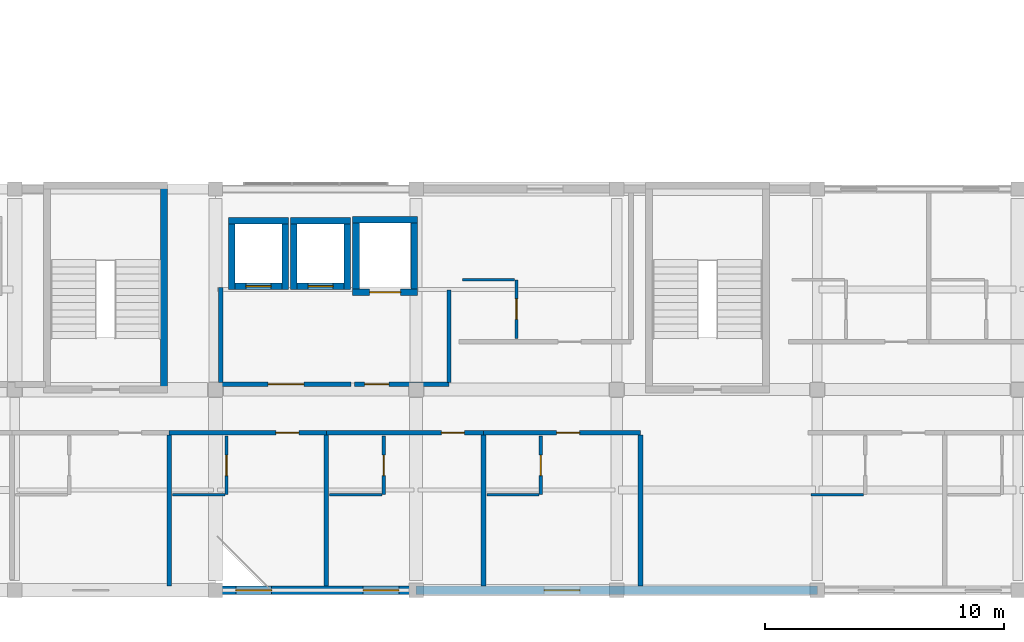
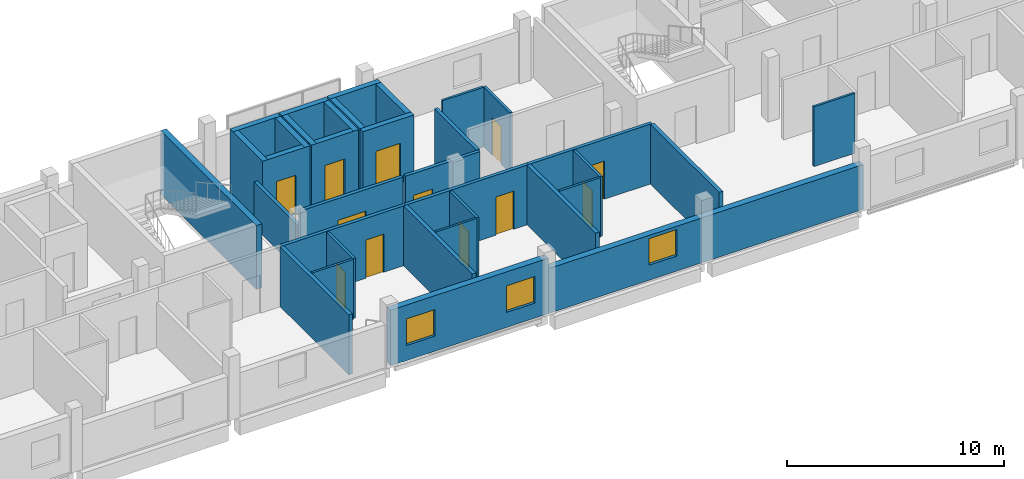
# One storey, part 17 of 25: 35 walls, 12 doors, 3 windows, 15 openings.
"""IFC4 building model written with IfcOpenShell, lengths in metres."""

import ifcopenshell
import ifcopenshell.guid

model = None  # the IFC model being written
_history = None  # IfcOwnerHistory: only IFC2X3 demands one
_inside = {}  # id of a spatial element -> (the spatial element, [elements in it])
_under = {}  # id of a project, library or spatial element -> (it, [spatial elements below it])
_declared = {}  # id of a project -> (the project, [libraries it declares])
_typed = {}  # id of a type object -> (the type object, [elements of that type])
_made_of = {}  # id of a material, layer set ... -> (it, [elements and type objects made of it])


def new_model(schema):
    """Start an empty IFC model of exactly this schema.

    Asked for "IFC4X3", IfcOpenShell would pick the latest addendum, in which some entities
    have other attributes; the version numbers below select the first issue.
    IFC2X3 requires an IfcOwnerHistory on every rooted entity: one is made here for all.
    """
    global model, _history
    if schema == "IFC4X3":
        model = ifcopenshell.file(schema_version=(4, 3, 0, 0))
    else:
        model = ifcopenshell.file(schema=schema)
    _inside.clear()
    _under.clear()
    _declared.clear()
    _typed.clear()
    _made_of.clear()
    _history = None
    if model.schema == "IFC2X3":
        org = make("IfcOrganization", Name="unknown")
        user = make(
            "IfcPersonAndOrganization",
            ThePerson=make("IfcPerson", FamilyName="unknown"),
            TheOrganization=org,
        )
        app = make(
            "IfcApplication",
            ApplicationDeveloper=org,
            Version="unknown",
            ApplicationFullName="unknown",
            ApplicationIdentifier="unknown",
        )
        _history = make(
            "IfcOwnerHistory",
            OwningUser=user,
            OwningApplication=app,
            ChangeAction="ADDED",
            CreationDate=0,
        )
    return model


def make(cls, **values):
    """One entity of the class cls with the attributes given. An attribute that is None is left unset."""
    return model.create_entity(
        cls, **{name: value for name, value in values.items() if value is not None}
    )


def rooted(cls, **values):
    """An entity with a GlobalId (a new one), such as an element, a storey or a relation."""
    return make(cls, GlobalId=ifcopenshell.guid.new(), OwnerHistory=_history, **values)


def si_unit(unit_type, name, prefix=None):
    """IfcSIUnit, for example si_unit("LENGTHUNIT", "METRE", prefix="MILLI")."""
    return make("IfcSIUnit", UnitType=unit_type, Prefix=prefix, Name=name)


def derived_unit(unit_type, elements):
    """IfcDerivedUnit: a product of units, each with its exponent."""
    return make(
        "IfcDerivedUnit",
        Elements=[
            make("IfcDerivedUnitElement", Unit=unit, Exponent=power)
            for unit, power in elements
        ],
        UnitType=unit_type,
    )


def assignment(units):
    """IfcUnitAssignment: the units of a project."""
    return None if units is None else make("IfcUnitAssignment", Units=units)


def point(xyz):
    """IfcCartesianPoint."""
    return None if xyz is None else make("IfcCartesianPoint", Coordinates=xyz)


def direction(xyz):
    """IfcDirection."""
    return None if xyz is None else make("IfcDirection", DirectionRatios=xyz)


def frame(location, z_axis=None, x_axis=None):
    """IfcAxis2Placement3D, a coordinate frame: its origin and axes. An axis left out is left unset."""
    return make(
        "IfcAxis2Placement3D",
        Location=point(location),
        Axis=direction(z_axis),
        RefDirection=direction(x_axis),
    )


def frame_2d(location, x_axis=None):
    """IfcAxis2Placement2D, a coordinate frame in the plane: its origin and x axis."""
    return make(
        "IfcAxis2Placement2D", Location=point(location), RefDirection=direction(x_axis)
    )


def origin():
    """The frame at (0, 0, 0) with its axes left unset."""
    return frame((0.0, 0.0, 0.0))


def place(relative_to, where):
    """IfcLocalPlacement: puts the frame where relative to a parent placement (None: the world)."""
    return make(
        "IfcLocalPlacement", PlacementRelTo=relative_to, RelativePlacement=where
    )


def context(
    kind, dimensions, precision=None, world=None, true_north=None, identifier=None
):
    """IfcGeometricRepresentationContext, for example the 3D "Model" context."""
    return make(
        "IfcGeometricRepresentationContext",
        ContextIdentifier=identifier,
        ContextType=kind,
        CoordinateSpaceDimension=dimensions,
        Precision=precision,
        WorldCoordinateSystem=world,
        TrueNorth=true_north,
    )


def subcontext(parent, identifier, kind, view, scale=None):
    """IfcGeometricRepresentationSubContext, for example "Body" below "Model"."""
    return make(
        "IfcGeometricRepresentationSubContext",
        ContextIdentifier=identifier,
        ContextType=kind,
        ParentContext=parent,
        TargetScale=scale,
        TargetView=view,
    )


def project(units=None, contexts=None):
    """IfcProject with its units and contexts."""
    return rooted(
        "IfcProject",
        Name="project",
        RepresentationContexts=contexts,
        UnitsInContext=assignment(units),
    )


def spatial(cls, under=None, at=None, **own):
    """A site, building, storey or space (cls), placed at a placement, below another one or the project."""
    s = rooted(cls, ObjectPlacement=at, **own)
    if under is not None:
        _under.setdefault(under.id(), (under, []))[1].append(s)
    return s


def profile(cls, at=None, kind="AREA", **sizes):
    """A parametric profile (cls). Its sizes go by their IFC names, for example OverallWidth=200.0."""
    return make(cls, ProfileType=kind, Position=at, **sizes)


def rectangle(**sizes):
    """IfcRectangleProfileDef."""
    return profile("IfcRectangleProfileDef", **sizes)


def extrude(swept, where, along, depth):
    """IfcExtrudedAreaSolid: the profile swept, set in the frame where, extruded along a direction by depth."""
    return make(
        "IfcExtrudedAreaSolid",
        SweptArea=swept,
        Position=where,
        ExtrudedDirection=direction(along),
        Depth=depth,
    )


def shape(context_of_items, identifier, shape_type, items):
    """IfcShapeRepresentation: the items that make up one representation, for example the "Body"."""
    return make(
        "IfcShapeRepresentation",
        ContextOfItems=context_of_items,
        RepresentationIdentifier=identifier,
        RepresentationType=shape_type,
        Items=items,
    )


def material(Name=None, Category=None):
    """IfcMaterial."""
    return make("IfcMaterial", Name=Name, Category=Category)


def layer(
    of_material, thickness, ventilated=None, Name=None, Category=None, Priority=None
):
    """IfcMaterialLayer: one layer of a wall or slab, of a material (None: an air gap)."""
    return make(
        "IfcMaterialLayer",
        Material=of_material,
        LayerThickness=thickness,
        IsVentilated=ventilated,
        Name=Name,
        Category=Category,
        Priority=Priority,
    )


def layer_set(layers, Name=None):
    """IfcMaterialLayerSet."""
    return make("IfcMaterialLayerSet", MaterialLayers=layers, LayerSetName=Name)


def made_of(thing, what):
    """Note that an element or type object is made of a material, layer set ...; save() writes the relation."""
    if what is not None:
        _made_of.setdefault(what.id(), (what, []))[1].append(thing)
    return thing


def type_object(cls, material=None, **own):
    """A type object (cls), such as IfcWallType, which elements share."""
    return made_of(rooted(cls, **own), material)


def element(
    cls,
    number,
    at=None,
    inside=None,
    cuts=None,
    type_object=None,
    material=None,
    context=None,
    identifier="Body",
    shape_type=None,
    held_by="IfcProductDefinitionShape",
    body=None,
    shapes=None,
    **own,
):
    """One element of the class cls, such as IfcWall. Its Tag is "e" and its number.

    at: its placement. inside: the storey or other place that contains it. cuts: it is an
    opening in that element (IfcRelVoidsElement). A single representation is given by context,
    identifier, shape_type and body (its items); several are given by shapes. held_by: the class
    of the entity that holds the representations. save() writes the other relations.
    """
    e = rooted(cls, Tag="e%d" % number, ObjectPlacement=at, **own)
    if body is not None:
        shapes = [shape(context, identifier, shape_type, body)]
    if shapes is not None:
        e.Representation = make(held_by, Representations=shapes)
    if inside is not None:
        _inside.setdefault(inside.id(), (inside, []))[1].append(e)
    if cuts is not None:
        rooted(
            "IfcRelVoidsElement", RelatingBuildingElement=cuts, RelatedOpeningElement=e
        )
    if type_object is not None:
        _typed.setdefault(type_object.id(), (type_object, []))[1].append(e)
    return made_of(e, material)


def fill(opening, filler):
    """IfcRelFillsElement: the door or window that sits in an opening."""
    return rooted(
        "IfcRelFillsElement",
        RelatingOpeningElement=opening,
        RelatedBuildingElement=filler,
    )


def aggregate(whole, parts):
    """IfcRelAggregates: a whole, such as a stair, and the parts it consists of."""
    return rooted("IfcRelAggregates", RelatingObject=whole, RelatedObjects=parts)


def save(model, path):
    """Write the relations noted so far, then the file.

    IfcRelAggregates (storeys below a building ...), IfcRelContainedInSpatialStructure (elements
    in a storey), IfcRelDefinesByType, IfcRelAssociatesMaterial and IfcRelDeclares: one each for
    every whole, place, type object, material and project.
    """
    for whole, parts in _under.values():
        aggregate(whole, parts)
    for where, things in _inside.values():
        rooted(
            "IfcRelContainedInSpatialStructure",
            RelatedElements=things,
            RelatingStructure=where,
        )
    for kind, things in _typed.values():
        rooted("IfcRelDefinesByType", RelatedObjects=things, RelatingType=kind)
    for what, things in _made_of.values():
        rooted("IfcRelAssociatesMaterial", RelatedObjects=things, RelatingMaterial=what)
    for by, libraries in _declared.values():
        rooted("IfcRelDeclares", RelatingContext=by, RelatedDefinitions=libraries)
    model.write(path)


model = new_model("IFC4")

# Units and contexts
model_context = context("Model", 3, precision=1e-05, world=origin(), true_north=direction((0.0, 1.0)))
body_context = subcontext(model_context, "Body", "Model", "MODEL_VIEW")
ifc_project = project(units=[si_unit("LENGTHUNIT", "METRE"), si_unit("AREAUNIT", "SQUARE_METRE"), si_unit("VOLUMEUNIT", "CUBIC_METRE"), si_unit("PLANEANGLEUNIT", "RADIAN"), si_unit("MASSUNIT", "GRAM", prefix="KILO"), derived_unit("THERMALTRANSMITTANCEUNIT", [(si_unit("POWERUNIT", "WATT"), 1), (si_unit("LENGTHUNIT", "METRE"), -2), (si_unit("THERMODYNAMICTEMPERATUREUNIT", "KELVIN"), -1)])], contexts=[model_context])

# Site, building, storey
site_placement = place(None, origin())
site = spatial("IfcSite", under=ifc_project, at=site_placement, CompositionType="ELEMENT")
building_placement = place(site_placement, origin())
building = spatial("IfcBuilding", under=site, at=building_placement, Name="Barrovel Congress Hotel", CompositionType="ELEMENT")
storey_placement = place(building_placement, frame((0.0, 0.0, 25.5)))
storey = spatial("IfcBuildingStorey", under=building, at=storey_placement, Name="L06", CompositionType="ELEMENT", Elevation=25.5)

# Wall, openings, windows
ifc_material_1 = material(Name="Fired Clay Brick Masonry", Category="masonry")
ifc_layer_1 = layer(ifc_material_1, 0.340087890625)
ifc_layer_set_1 = layer_set([ifc_layer_1], Name="Fired Clay Brick Masonry")
wall_type_1 = type_object("IfcWallType", Name="EW-BRK340", PredefinedType="STANDARD", material=ifc_layer_set_1)
wall_1_placement = place(storey_placement, frame((84.0, 4.199951171875, 0.0), z_axis=(0.0, 0.0, 1.0), x_axis=(1.0, 0.0, 0.0)))
wall_1 = element("IfcWall", 1, at=wall_1_placement, inside=storey, type_object=wall_type_1, Name="EW:L06:HS-S:P07", PredefinedType="STANDARD", context=body_context, shape_type="SweptSolid", body=[
    extrude(rectangle(XDim=8.39990234375, YDim=0.340087890625, at=frame_2d((4.199951171875, 0.0))), origin(), (0.0, 0.0, 1.0), 3.133056640625),
])
opening_1_placement = place(wall_1_placement, frame((0.85009765625, 0.0, 0.85009765625)))
opening_1 = element("IfcOpeningElement", 2, at=opening_1_placement, cuts=wall_1, Name="Opening WN-07", PredefinedType="OPENING", context=body_context, shape_type="SweptSolid", body=[
    extrude(rectangle(XDim=1.5, YDim=1.5, at=frame_2d((0.75, 0.75))), frame((0.0, 0.18017578125, 0.0), z_axis=(0.0, -1.0, 0.0), x_axis=(1.0, 0.0, 0.0)), (0.0, 0.0, 1.0), 0.360107421875),
])
opening_2_placement = place(wall_1_placement, frame((6.179931640625, 0.0, 0.85009765625)))
opening_2 = element("IfcOpeningElement", 3, at=opening_2_placement, cuts=wall_1, Name="Opening WN-07", PredefinedType="OPENING", context=body_context, shape_type="SweptSolid", body=[
    extrude(rectangle(XDim=1.5, YDim=1.5, at=frame_2d((0.75, 0.75))), frame((0.0, 0.18017578125, 0.0), z_axis=(0.0, -1.0, 0.0), x_axis=(1.0, 0.0, 0.0)), (0.0, 0.0, 1.0), 0.360107421875),
])
ifc_material_2 = material(Name="Double Low-E Insulated Glazing", Category="glass")
window_type = type_object("IfcWindowType", Name="WIN-WN-07", PartitioningType="SINGLE_PANEL", PredefinedType="WINDOW", material=ifc_material_2)
window_1_placement = place(opening_1_placement, origin())
window_1 = element("IfcWindow", 4, at=window_1_placement, inside=storey, type_object=window_type, Name="WIN:L06:U09", OverallHeight=1.5, OverallWidth=1.5, PartitioningType="SINGLE_PANEL", PredefinedType="WINDOW", context=body_context, shape_type="SweptSolid", body=[
    extrude(rectangle(XDim=1.5, YDim=1.5, at=frame_2d((0.75, 0.75))), frame((0.0, 0.030029296875, 0.0), z_axis=(0.0, -1.0, 0.0), x_axis=(1.0, 0.0, 0.0)), (0.0, 0.0, 1.0), 0.06005859375),
])
fill(opening_1, window_1)
window_2_placement = place(opening_2_placement, origin())
window_2 = element("IfcWindow", 5, at=window_2_placement, inside=storey, type_object=window_type, Name="WIN:L06:U10", OverallHeight=1.5, OverallWidth=1.5, PartitioningType="SINGLE_PANEL", PredefinedType="WINDOW", context=body_context, shape_type="SweptSolid", body=[
    extrude(rectangle(XDim=1.5, YDim=1.5, at=frame_2d((0.75, 0.75))), frame((0.0, 0.030029296875, 0.0), z_axis=(0.0, -1.0, 0.0), x_axis=(1.0, 0.0, 0.0)), (0.0, 0.0, 1.0), 0.06005859375),
])
fill(opening_2, window_2)

# Wall, opening, window
wall_2_placement = place(storey_placement, frame((92.39990234375, 4.199951171875, 0.0), z_axis=(0.0, 0.0, 1.0), x_axis=(1.0, 0.0, 0.0)))
wall_2 = element("IfcWall", 6, at=wall_2_placement, inside=storey, type_object=wall_type_1, Name="EW:L06:HS-S:P08", PredefinedType="STANDARD", context=body_context, shape_type="SweptSolid", body=[
    extrude(rectangle(XDim=16.800048828125, YDim=0.340087890625, at=frame_2d((8.39990234375, 0.0))), origin(), (0.0, 0.0, 1.0), 2.530029296875),
])
opening_3_placement = place(wall_2_placement, frame((5.360107421875, 0.0, 0.85009765625)))
opening_3 = element("IfcOpeningElement", 7, at=opening_3_placement, cuts=wall_2, Name="Opening WN-07", PredefinedType="OPENING", context=body_context, shape_type="SweptSolid", body=[
    extrude(rectangle(XDim=1.5, YDim=1.5, at=frame_2d((0.75, 0.75))), frame((0.0, 0.18017578125, 0.0), z_axis=(0.0, -1.0, 0.0), x_axis=(1.0, 0.0, 0.0)), (0.0, 0.0, 1.0), 0.360107421875),
])
window_3_placement = place(opening_3_placement, origin())
window_3 = element("IfcWindow", 8, at=window_3_placement, inside=storey, type_object=window_type, Name="WIN:L06:U11", OverallHeight=1.5, OverallWidth=1.5, PartitioningType="SINGLE_PANEL", PredefinedType="WINDOW", context=body_context, shape_type="SweptSolid", body=[
    extrude(rectangle(XDim=1.5, YDim=1.5, at=frame_2d((0.75, 0.75))), frame((0.0, 0.030029296875, 0.0), z_axis=(0.0, -1.0, 0.0), x_axis=(1.0, 0.0, 0.0)), (0.0, 0.0, 1.0), 0.06005859375),
])
fill(opening_3, window_3)

# Wall, opening, door
ifc_material_3 = material(Name="Gypsum Acoustic Stud", Category="gypsum")
ifc_layer_2 = layer(ifc_material_3, 0.179931640625)
ifc_layer_set_2 = layer_set([ifc_layer_2], Name="Gypsum Acoustic Stud")
wall_type_2 = type_object("IfcWallType", Name="PW-ACU-180", PredefinedType="PARTITIONING", material=ifc_layer_set_2)
wall_3_placement = place(storey_placement, frame((82.06005859375, 10.800048828125, 0.0), z_axis=(0.0, 0.0, 1.0), x_axis=(1.0, 0.0, 0.0)))
wall_3 = element("IfcWall", 9, at=wall_3_placement, inside=storey, type_object=wall_type_2, Name="PW:L06:U09:COR", PredefinedType="PARTITIONING", context=body_context, shape_type="SweptSolid", body=[
    extrude(rectangle(XDim=6.579833984375, YDim=0.179931640625, at=frame_2d((3.2900390625, 0.0))), origin(), (0.0, 0.0, 1.0), 3.375),
])
opening_4_placement = place(wall_3_placement, frame((4.466552734375, 0.0, 0.0)))
opening_4 = element("IfcOpeningElement", 10, at=opening_4_placement, cuts=wall_3, Name="Opening ID-HTL", PredefinedType="OPENING", context=body_context, shape_type="SweptSolid", body=[
    extrude(rectangle(XDim=0.9599609375, YDim=2.14990234375, at=frame_2d((0.47998046875, 1.074951171875))), frame((0.0, 0.10009765625, 0.0), z_axis=(0.0, -1.0, 0.0), x_axis=(1.0, 0.0, 0.0)), (0.0, 0.0, 1.0), 0.199951171875),
])
ifc_material_4 = material(Name="Solid Oak Acoustic Timber Door", Category="wood")
door_type_1 = type_object("IfcDoorType", Name="IDR-ID-HTL", OperationType="NOTDEFINED", PredefinedType="DOOR", material=ifc_material_4)
door_1_placement = place(opening_4_placement, origin())
door_1 = element("IfcDoor", 11, at=door_1_placement, inside=storey, type_object=door_type_1, Name="DR:L06:U09:ENT", OperationType="SINGLE_SWING_RIGHT", OverallHeight=2.14990234375, OverallWidth=0.9599609375, PredefinedType="DOOR", context=body_context, shape_type="SweptSolid", body=[
    extrude(rectangle(XDim=0.9599609375, YDim=2.14990234375, at=frame_2d((0.47998046875, 1.074951171875))), frame((0.0, 0.02490234375, 0.0), z_axis=(0.0, -1.0, 0.0), x_axis=(1.0, 0.0, 0.0)), (0.0, 0.0, 1.0), 0.050048828125),
])
fill(opening_4, door_1)

wall_4_placement = place(storey_placement, frame((88.639892578125, 10.800048828125, 0.0), z_axis=(0.0, 0.0, 1.0), x_axis=(1.0, 0.0, 0.0)))
wall_4 = element("IfcWall", 12, at=wall_4_placement, inside=storey, type_object=wall_type_2, Name="PW:L06:U10:COR", PredefinedType="PARTITIONING", context=body_context, shape_type="SweptSolid", body=[
    extrude(rectangle(XDim=6.580078125, YDim=0.179931640625, at=frame_2d((3.2900390625, 0.0))), origin(), (0.0, 0.0, 1.0), 3.375),
])
opening_5_placement = place(wall_4_placement, frame((4.816650390625, 0.0, 0.0)))
opening_5 = element("IfcOpeningElement", 13, at=opening_5_placement, cuts=wall_4, Name="Opening ID-HTL", PredefinedType="OPENING", context=body_context, shape_type="SweptSolid", body=[
    extrude(rectangle(XDim=0.9599609375, YDim=2.14990234375, at=frame_2d((0.47998046875, 1.074951171875))), frame((0.0, 0.10009765625, 0.0), z_axis=(0.0, -1.0, 0.0), x_axis=(1.0, 0.0, 0.0)), (0.0, 0.0, 1.0), 0.199951171875),
])
door_2_placement = place(opening_5_placement, origin())
door_2 = element("IfcDoor", 14, at=door_2_placement, inside=storey, type_object=door_type_1, Name="DR:L06:U10:ENT", OperationType="SINGLE_SWING_RIGHT", OverallHeight=2.14990234375, OverallWidth=0.9599609375, PredefinedType="DOOR", context=body_context, shape_type="SweptSolid", body=[
    extrude(rectangle(XDim=0.9599609375, YDim=2.14990234375, at=frame_2d((0.47998046875, 1.074951171875))), frame((0.0, 0.02490234375, 0.0), z_axis=(0.0, -1.0, 0.0), x_axis=(1.0, 0.0, 0.0)), (0.0, 0.0, 1.0), 0.050048828125),
])
fill(opening_5, door_2)

wall_5_placement = place(storey_placement, frame((95.219970703125, 10.800048828125, 0.0), z_axis=(0.0, 0.0, 1.0), x_axis=(1.0, 0.0, 0.0)))
wall_5 = element("IfcWall", 15, at=wall_5_placement, inside=storey, type_object=wall_type_2, Name="PW:L06:U11:COR", PredefinedType="PARTITIONING", context=body_context, shape_type="SweptSolid", body=[
    extrude(rectangle(XDim=6.580078125, YDim=0.179931640625, at=frame_2d((3.2900390625, 0.0))), origin(), (0.0, 0.0, 1.0), 3.375),
])
opening_6_placement = place(wall_5_placement, frame((3.066650390625, 0.0, 0.0)))
opening_6 = element("IfcOpeningElement", 16, at=opening_6_placement, cuts=wall_5, Name="Opening ID-HTL", PredefinedType="OPENING", context=body_context, shape_type="SweptSolid", body=[
    extrude(rectangle(XDim=0.9599609375, YDim=2.14990234375, at=frame_2d((0.47998046875, 1.074951171875))), frame((0.0, 0.10009765625, 0.0), z_axis=(0.0, -1.0, 0.0), x_axis=(1.0, 0.0, 0.0)), (0.0, 0.0, 1.0), 0.199951171875),
])
door_3_placement = place(opening_6_placement, origin())
door_3 = element("IfcDoor", 17, at=door_3_placement, inside=storey, type_object=door_type_1, Name="DR:L06:U11:ENT", OperationType="SINGLE_SWING_RIGHT", OverallHeight=2.14990234375, OverallWidth=0.9599609375, PredefinedType="DOOR", context=body_context, shape_type="SweptSolid", body=[
    extrude(rectangle(XDim=0.9599609375, YDim=2.14990234375, at=frame_2d((0.47998046875, 1.074951171875))), frame((0.0, 0.02490234375, 0.0), z_axis=(0.0, -1.0, 0.0), x_axis=(1.0, 0.0, 0.0)), (0.0, 0.0, 1.0), 0.050048828125),
])
fill(opening_6, door_3)

wall_6_placement = place(storey_placement, frame((84.219970703125, 12.820068359375, 0.0), z_axis=(0.0, 0.0, 1.0), x_axis=(1.0, 0.0, 0.0)))
wall_6 = element("IfcWall", 18, at=wall_6_placement, inside=storey, type_object=wall_type_2, Name="RW:SP:L06:LL-C2:S", PredefinedType="PARTITIONING", context=body_context, shape_type="SweptSolid", body=[
    extrude(rectangle(XDim=5.4599609375, YDim=0.179931640625, at=frame_2d((2.72998046875, 0.0))), origin(), (0.0, 0.0, 1.0), 3.375),
])
opening_7_placement = place(wall_6_placement, frame((1.97998046875, 0.0, 0.0)))
opening_7 = element("IfcOpeningElement", 19, at=opening_7_placement, cuts=wall_6, Name="Opening ID-FFL", PredefinedType="OPENING", context=body_context, shape_type="SweptSolid", body=[
    extrude(rectangle(XDim=1.5, YDim=2.14990234375, at=frame_2d((0.75, 1.074951171875))), frame((0.0, 0.10009765625, 0.0), z_axis=(0.0, -1.0, 0.0), x_axis=(1.0, 0.0, 0.0)), (0.0, 0.0, 1.0), 0.199951171875),
])
ifc_material_5 = material(Name="Painted Hollow-Metal Steel Door", Category="steel")
door_type_2 = type_object("IfcDoorType", Name="IDR-ID-FFL", OperationType="NOTDEFINED", PredefinedType="DOOR", material=ifc_material_5)
door_4_placement = place(opening_7_placement, origin())
door_4 = element("IfcDoor", 20, at=door_4_placement, inside=storey, type_object=door_type_2, Name="RD:SP:L06:LL-C2", OperationType="DOUBLE_DOOR_SINGLE_SWING", OverallHeight=2.14990234375, OverallWidth=1.5, PredefinedType="DOOR", context=body_context, shape_type="SweptSolid", body=[
    extrude(rectangle(XDim=1.5, YDim=2.14990234375, at=frame_2d((0.75, 1.074951171875))), frame((0.0, 0.02490234375, 0.0), z_axis=(0.0, -1.0, 0.0), x_axis=(1.0, 0.0, 0.0)), (0.0, 0.0, 1.0), 0.050048828125),
])
fill(opening_7, door_4)

# Wall
wall_7_placement = place(storey_placement, frame((84.219970703125, 12.909912109375, 0.0), z_axis=(0.0, 0.0, 1.0), x_axis=(0.0, 1.0, 0.0)))
element("IfcWall", 21, at=wall_7_placement, inside=storey, type_object=wall_type_2, Name="RW:SP:L06:LL-C2:W", PredefinedType="PARTITIONING", context=body_context, shape_type="SweptSolid", body=[
    extrude(rectangle(XDim=3.969970703125, YDim=0.179931640625, at=frame_2d((1.98486328125, 0.0))), origin(), (0.0, 0.0, 1.0), 2.530029296875),
])

# Wall, opening, door
wall_8_placement = place(storey_placement, frame((89.820068359375, 12.820068359375, 0.0), z_axis=(0.0, 0.0, 1.0), x_axis=(1.0, 0.0, 0.0)))
wall_8 = element("IfcWall", 22, at=wall_8_placement, inside=storey, type_object=wall_type_2, Name="RW:SP:L06:LL-SL2:S", PredefinedType="PARTITIONING", context=body_context, shape_type="SweptSolid", body=[
    extrude(rectangle(XDim=3.9599609375, YDim=0.179931640625, at=frame_2d((1.97998046875, 0.0))), origin(), (0.0, 0.0, 1.0), 3.375),
])
opening_8_placement = place(wall_8_placement, frame((0.419921875, 0.0, 0.0)))
opening_8 = element("IfcOpeningElement", 23, at=opening_8_placement, cuts=wall_8, Name="Opening ID-ACC", PredefinedType="OPENING", context=body_context, shape_type="SweptSolid", body=[
    extrude(rectangle(XDim=1.02001953125, YDim=2.14990234375, at=frame_2d((0.510009765625, 1.074951171875))), frame((0.0, 0.10009765625, 0.0), z_axis=(0.0, -1.0, 0.0), x_axis=(1.0, 0.0, 0.0)), (0.0, 0.0, 1.0), 0.199951171875),
])
door_type_3 = type_object("IfcDoorType", Name="IDR-ID-ACC", OperationType="NOTDEFINED", PredefinedType="DOOR", material=ifc_material_4)
door_5_placement = place(opening_8_placement, origin())
door_5 = element("IfcDoor", 24, at=door_5_placement, inside=storey, type_object=door_type_3, Name="RD:SP:L06:LL-SL2", OperationType="SINGLE_SWING_RIGHT", OverallHeight=2.14990234375, OverallWidth=1.02001953125, PredefinedType="DOOR", context=body_context, shape_type="SweptSolid", body=[
    extrude(rectangle(XDim=1.02001953125, YDim=2.14990234375, at=frame_2d((0.510009765625, 1.074951171875))), frame((0.0, 0.02490234375, 0.0), z_axis=(0.0, -1.0, 0.0), x_axis=(1.0, 0.0, 0.0)), (0.0, 0.0, 1.0), 0.050048828125),
])
fill(opening_8, door_5)

# Walls
wall_9_placement = place(storey_placement, frame((93.780029296875, 12.909912109375, 0.0), z_axis=(0.0, 0.0, 1.0), x_axis=(0.0, 1.0, 0.0)))
element("IfcWall", 25, at=wall_9_placement, inside=storey, type_object=wall_type_2, Name="RW:SP:L06:LL-SL2:E", PredefinedType="PARTITIONING", context=body_context, shape_type="SweptSolid", body=[
    extrude(rectangle(XDim=3.8701171875, YDim=0.179931640625, at=frame_2d((1.93505859375, 0.0))), origin(), (0.0, 0.0, 1.0), 3.375),
])
ifc_layer_3 = layer(ifc_material_3, 0.1201171875)
ifc_layer_set_3 = layer_set([ifc_layer_3], Name="Gypsum Acoustic Stud")
wall_type_3 = type_object("IfcWallType", Name="PW-INT-120", PredefinedType="PARTITIONING", material=ifc_layer_set_3)
for number, where, z_axis, x_axis, name in (
    (26, (82.199951171875, 8.199951171875, 0.0), (0.0, 0.0, 1.0), (1.0, 0.0, 0.0), "PW:L06:U09:B2"),
    (27, (88.780029296875, 8.199951171875, 0.0), (0.0, 0.0, 1.0), (1.0, 0.0, 0.0), "PW:L06:U10:B2"),
    (28, (95.360107421875, 8.199951171875, 0.0), (0.0, 0.0, 1.0), (1.0, 0.0, 0.0), "PW:L06:U11:B2"),
    (29, (108.93994140625, 8.199951171875, 0.0), (0.0, 0.0, 1.0), (1.0, 0.0, 0.0), "PW:L06:U12:B2"),
    (30, (94.340087890625, 17.199951171875, 0.0), (0.0, 0.0, 1.0), (1.0, 0.0, 0.0), "PW:L06:U21:B2"),
):
    element("IfcWall", number, at=place(storey_placement, frame(where, z_axis=z_axis, x_axis=x_axis)), inside=storey, type_object=wall_type_3, Name=name, PredefinedType="PARTITIONING", context=body_context, shape_type="SweptSolid", body=[
        extrude(rectangle(XDim=2.18994140625, YDim=0.1201171875, at=frame_2d((1.094970703125, 0.0))), origin(), (0.0, 0.0, 1.0), 3.375),
    ])
ifc_layer_4 = layer(ifc_material_1, 0.199951171875)
ifc_layer_set_4 = layer_set([ifc_layer_4], Name="Fired Clay Brick Masonry")
wall_type_4 = type_object("IfcWallType", Name="PW-MAS-200", PredefinedType="PARTITIONING", material=ifc_layer_set_4)
for number, where, z_axis, x_axis, name in (
    (31, (82.06005859375, 4.3701171875, 0.0), (0.0, 0.0, 1.0), (0.0, 1.0, 0.0), "PW:L06:U08:DEM"),
    (32, (88.639892578125, 4.3701171875, 0.0), (0.0, 0.0, 1.0), (0.0, 1.0, 0.0), "PW:L06:U09:DEM"),
    (33, (95.219970703125, 4.3701171875, 0.0), (0.0, 0.0, 1.0), (0.0, 1.0, 0.0), "PW:L06:U10:DEM"),
    (34, (101.800048828125, 4.3701171875, 0.0), (0.0, 0.0, 1.0), (0.0, 1.0, 0.0), "PW:L06:U11:DEM"),
):
    element("IfcWall", number, at=place(storey_placement, frame(where, z_axis=z_axis, x_axis=x_axis)), inside=storey, type_object=wall_type_4, Name=name, PredefinedType="PARTITIONING", context=body_context, shape_type="SweptSolid", body=[
        extrude(rectangle(XDim=6.33984375, YDim=0.199951171875, at=frame_2d((3.169921875, 0.0))), origin(), (0.0, 0.0, 1.0), 3.375),
    ])

# Wall, opening, door
ifc_material_6 = material(Name="Gypsum Moisture Board", Category="gypsum")
ifc_layer_5 = layer(ifc_material_6, 0.139892578125)
ifc_layer_set_5 = layer_set([ifc_layer_5], Name="Gypsum Moisture Board")
wall_type_5 = type_object("IfcWallType", Name="PW-WET-140", PredefinedType="PARTITIONING", material=ifc_layer_set_5)
wall_10_placement = place(storey_placement, frame((84.4599609375, 8.199951171875, 0.0), z_axis=(0.0, 0.0, 1.0), x_axis=(0.0, 1.0, 0.0)))
wall_10 = element("IfcWall", 35, at=wall_10_placement, inside=storey, type_object=wall_type_5, Name="PW:L06:U09:B1", PredefinedType="PARTITIONING", context=body_context, shape_type="SweptSolid", body=[
    extrude(rectangle(XDim=2.4599609375, YDim=0.139892578125, at=frame_2d((1.22998046875, 0.0))), origin(), (0.0, 0.0, 1.0), 3.375),
])
opening_9_placement = place(wall_10_placement, frame((0.800048828125, 0.0, 0.0)))
opening_9 = element("IfcOpeningElement", 36, at=opening_9_placement, cuts=wall_10, Name="Opening ID-ENS", PredefinedType="OPENING", context=body_context, shape_type="SweptSolid", body=[
    extrude(rectangle(XDim=0.860107421875, YDim=2.10009765625, at=frame_2d((0.43017578125, 1.050048828125))), frame((0.0, 0.080078125, 0.0), z_axis=(0.0, -1.0, 0.0), x_axis=(1.0, 0.0, 0.0)), (0.0, 0.0, 1.0), 0.159912109375),
])
ifc_material_7 = material(Name="Lacquered Timber Moisture Door", Category="wood")
door_type_4 = type_object("IfcDoorType", Name="IDR-ID-ENS", OperationType="NOTDEFINED", PredefinedType="DOOR", material=ifc_material_7)
door_6_placement = place(opening_9_placement, origin())
door_6 = element("IfcDoor", 37, at=door_6_placement, inside=storey, type_object=door_type_4, Name="DR:L06:U09:ENS", OperationType="SINGLE_SWING_LEFT", OverallHeight=2.10009765625, OverallWidth=0.860107421875, PredefinedType="DOOR", context=body_context, shape_type="SweptSolid", body=[
    extrude(rectangle(XDim=0.860107421875, YDim=2.10009765625, at=frame_2d((0.43017578125, 1.050048828125))), frame((0.0, 0.02490234375, 0.0), z_axis=(0.0, -1.0, 0.0), x_axis=(1.0, 0.0, 0.0)), (0.0, 0.0, 1.0), 0.050048828125),
])
fill(opening_9, door_6)

wall_11_placement = place(storey_placement, frame((91.0400390625, 8.199951171875, 0.0), z_axis=(0.0, 0.0, 1.0), x_axis=(0.0, 1.0, 0.0)))
wall_11 = element("IfcWall", 38, at=wall_11_placement, inside=storey, type_object=wall_type_5, Name="PW:L06:U10:B1", PredefinedType="PARTITIONING", context=body_context, shape_type="SweptSolid", body=[
    extrude(rectangle(XDim=2.4599609375, YDim=0.139892578125, at=frame_2d((1.22998046875, 0.0))), origin(), (0.0, 0.0, 1.0), 3.375),
])
opening_10_placement = place(wall_11_placement, frame((0.800048828125, 0.0, 0.0)))
opening_10 = element("IfcOpeningElement", 39, at=opening_10_placement, cuts=wall_11, Name="Opening ID-ENS", PredefinedType="OPENING", context=body_context, shape_type="SweptSolid", body=[
    extrude(rectangle(XDim=0.860107421875, YDim=2.10009765625, at=frame_2d((0.43017578125, 1.050048828125))), frame((0.0, 0.080078125, 0.0), z_axis=(0.0, -1.0, 0.0), x_axis=(1.0, 0.0, 0.0)), (0.0, 0.0, 1.0), 0.159912109375),
])
door_7_placement = place(opening_10_placement, origin())
door_7 = element("IfcDoor", 40, at=door_7_placement, inside=storey, type_object=door_type_4, Name="DR:L06:U10:ENS", OperationType="SINGLE_SWING_LEFT", OverallHeight=2.10009765625, OverallWidth=0.860107421875, PredefinedType="DOOR", context=body_context, shape_type="SweptSolid", body=[
    extrude(rectangle(XDim=0.860107421875, YDim=2.10009765625, at=frame_2d((0.43017578125, 1.050048828125))), frame((0.0, 0.02490234375, 0.0), z_axis=(0.0, -1.0, 0.0), x_axis=(1.0, 0.0, 0.0)), (0.0, 0.0, 1.0), 0.050048828125),
])
fill(opening_10, door_7)

wall_12_placement = place(storey_placement, frame((97.6201171875, 8.199951171875, 0.0), z_axis=(0.0, 0.0, 1.0), x_axis=(0.0, 1.0, 0.0)))
wall_12 = element("IfcWall", 41, at=wall_12_placement, inside=storey, type_object=wall_type_5, Name="PW:L06:U11:B1", PredefinedType="PARTITIONING", context=body_context, shape_type="SweptSolid", body=[
    extrude(rectangle(XDim=2.4599609375, YDim=0.139892578125, at=frame_2d((1.22998046875, 0.0))), origin(), (0.0, 0.0, 1.0), 3.375),
])
opening_11_placement = place(wall_12_placement, frame((0.800048828125, 0.0, 0.0)))
opening_11 = element("IfcOpeningElement", 42, at=opening_11_placement, cuts=wall_12, Name="Opening ID-ENS", PredefinedType="OPENING", context=body_context, shape_type="SweptSolid", body=[
    extrude(rectangle(XDim=0.860107421875, YDim=2.10009765625, at=frame_2d((0.43017578125, 1.050048828125))), frame((0.0, 0.080078125, 0.0), z_axis=(0.0, -1.0, 0.0), x_axis=(1.0, 0.0, 0.0)), (0.0, 0.0, 1.0), 0.159912109375),
])
door_8_placement = place(opening_11_placement, origin())
door_8 = element("IfcDoor", 43, at=door_8_placement, inside=storey, type_object=door_type_4, Name="DR:L06:U11:ENS", OperationType="SINGLE_SWING_LEFT", OverallHeight=2.10009765625, OverallWidth=0.860107421875, PredefinedType="DOOR", context=body_context, shape_type="SweptSolid", body=[
    extrude(rectangle(XDim=0.860107421875, YDim=2.10009765625, at=frame_2d((0.43017578125, 1.050048828125))), frame((0.0, 0.02490234375, 0.0), z_axis=(0.0, -1.0, 0.0), x_axis=(1.0, 0.0, 0.0)), (0.0, 0.0, 1.0), 0.050048828125),
])
fill(opening_11, door_8)

wall_13_placement = place(storey_placement, frame((96.60009765625, 14.739990234375, 0.0), z_axis=(0.0, 0.0, 1.0), x_axis=(0.0, 1.0, 0.0)))
wall_13 = element("IfcWall", 44, at=wall_13_placement, inside=storey, type_object=wall_type_5, Name="PW:L06:U21:B1", PredefinedType="PARTITIONING", context=body_context, shape_type="SweptSolid", body=[
    extrude(rectangle(XDim=2.4599609375, YDim=0.139892578125, at=frame_2d((1.22998046875, 0.0))), origin(), (0.0, 0.0, 1.0), 3.375),
])
opening_12_placement = place(wall_13_placement, frame((0.800048828125, 0.0, 0.0)))
opening_12 = element("IfcOpeningElement", 45, at=opening_12_placement, cuts=wall_13, Name="Opening ID-ENS", PredefinedType="OPENING", context=body_context, shape_type="SweptSolid", body=[
    extrude(rectangle(XDim=0.860107421875, YDim=2.10009765625, at=frame_2d((0.43017578125, 1.050048828125))), frame((0.0, 0.080078125, 0.0), z_axis=(0.0, -1.0, 0.0), x_axis=(1.0, 0.0, 0.0)), (0.0, 0.0, 1.0), 0.159912109375),
])
door_9_placement = place(opening_12_placement, origin())
door_9 = element("IfcDoor", 46, at=door_9_placement, inside=storey, type_object=door_type_4, Name="DR:L06:U21:ENS", OperationType="SINGLE_SWING_LEFT", OverallHeight=2.10009765625, OverallWidth=0.860107421875, PredefinedType="DOOR", context=body_context, shape_type="SweptSolid", body=[
    extrude(rectangle(XDim=0.860107421875, YDim=2.10009765625, at=frame_2d((0.43017578125, 1.050048828125))), frame((0.0, 0.02490234375, 0.0), z_axis=(0.0, -1.0, 0.0), x_axis=(1.0, 0.0, 0.0)), (0.0, 0.0, 1.0), 0.050048828125),
])
fill(opening_12, door_9)

ifc_material_8 = material(Name="Concrete C40", Category="concrete")
ifc_layer_6 = layer(ifc_material_8, 0.280029296875)
ifc_layer_set_6 = layer_set([ifc_layer_6], Name="Concrete C40")
wall_type_6 = type_object("IfcWallType", Name="SW-C40-280", PredefinedType="SHEAR", material=ifc_layer_set_6)
wall_14_placement = place(storey_placement, frame((84.5400390625, 16.929931640625, 0.0), z_axis=(0.0, 0.0, 1.0), x_axis=(1.0, 0.0, 0.0)))
wall_14 = element("IfcWall", 47, at=wall_14_placement, inside=storey, type_object=wall_type_6, Name="LSH:PL-3:L06:S", PredefinedType="SHEAR", context=body_context, shape_type="SweptSolid", body=[
    extrude(rectangle(XDim=2.52001953125, YDim=0.280029296875, at=frame_2d((1.260009765625, 0.0))), origin(), (0.0, 0.0, 1.0), 3.60009765625),
])
opening_13_placement = place(wall_14_placement, frame((0.735107421875, 0.0, 0.0)))
opening_13 = element("IfcOpeningElement", 48, at=opening_13_placement, cuts=wall_14, Name="Opening LD-PAX", PredefinedType="OPENING", context=body_context, shape_type="SweptSolid", body=[
    extrude(rectangle(XDim=1.050048828125, YDim=2.199951171875, at=frame_2d((0.52490234375, 1.10009765625))), frame((0.0, 0.14990234375, 0.0), z_axis=(0.0, -1.0, 0.0), x_axis=(1.0, 0.0, 0.0)), (0.0, 0.0, 1.0), 0.300048828125),
])
ifc_material_9 = material(Name="Brushed Stainless Steel", Category="steel")
door_type_5 = type_object("IfcDoorType", Name="IDR-LD-PAX", OperationType="NOTDEFINED", PredefinedType="DOOR", material=ifc_material_9)
door_10_placement = place(opening_13_placement, origin())
door_10 = element("IfcDoor", 49, at=door_10_placement, inside=storey, type_object=door_type_5, Name="Lift Landing Door LD-PL-3-L06", OperationType="SLIDING_TO_LEFT", OverallHeight=2.199951171875, OverallWidth=1.050048828125, PredefinedType="DOOR", context=body_context, shape_type="SweptSolid", body=[
    extrude(rectangle(XDim=1.050048828125, YDim=2.199951171875, at=frame_2d((0.52490234375, 1.10009765625))), frame((0.0, 0.02490234375, 0.0), z_axis=(0.0, -1.0, 0.0), x_axis=(1.0, 0.0, 0.0)), (0.0, 0.0, 1.0), 0.050048828125),
])
fill(opening_13, door_10)

# Walls
wall_15_placement = place(storey_placement, frame((86.919921875, 16.7900390625, 0.0), z_axis=(0.0, 0.0, 1.0), x_axis=(0.0, 1.0, 0.0)))
element("IfcWall", 50, at=wall_15_placement, inside=storey, type_object=wall_type_6, Name="LSH:PL-3:L06:E", PredefinedType="SHEAR", context=body_context, shape_type="SweptSolid", body=[
    extrude(rectangle(XDim=3.02001953125, YDim=0.280029296875, at=frame_2d((1.510009765625, 0.0))), origin(), (0.0, 0.0, 1.0), 3.60009765625),
])
wall_16_placement = place(storey_placement, frame((87.06005859375, 19.669921875, 0.0), z_axis=(0.0, 0.0, 1.0), x_axis=(-1.0, 0.0, 0.0)))
element("IfcWall", 51, at=wall_16_placement, inside=storey, type_object=wall_type_6, Name="LSH:PL-3:L06:N", PredefinedType="SHEAR", context=body_context, shape_type="SweptSolid", body=[
    extrude(rectangle(XDim=2.52001953125, YDim=0.280029296875, at=frame_2d((1.260009765625, 0.0))), origin(), (0.0, 0.0, 1.0), 3.60009765625),
])
wall_17_placement = place(storey_placement, frame((84.679931640625, 19.81005859375, 0.0), z_axis=(0.0, 0.0, 1.0), x_axis=(0.0, -1.0, 0.0)))
element("IfcWall", 52, at=wall_17_placement, inside=storey, type_object=wall_type_6, Name="LSH:PL-3:L06:W", PredefinedType="SHEAR", context=body_context, shape_type="SweptSolid", body=[
    extrude(rectangle(XDim=3.02001953125, YDim=0.280029296875, at=frame_2d((1.510009765625, 0.0))), origin(), (0.0, 0.0, 1.0), 3.60009765625),
])

# Wall, opening, door
wall_18_placement = place(storey_placement, frame((87.139892578125, 16.929931640625, 0.0), z_axis=(0.0, 0.0, 1.0), x_axis=(1.0, 0.0, 0.0)))
wall_18 = element("IfcWall", 53, at=wall_18_placement, inside=storey, type_object=wall_type_6, Name="LSH:PL-4:L06:S", PredefinedType="SHEAR", context=body_context, shape_type="SweptSolid", body=[
    extrude(rectangle(XDim=2.52001953125, YDim=0.280029296875, at=frame_2d((1.260009765625, 0.0))), origin(), (0.0, 0.0, 1.0), 3.60009765625),
])
opening_14_placement = place(wall_18_placement, frame((0.735107421875, 0.0, 0.0)))
opening_14 = element("IfcOpeningElement", 54, at=opening_14_placement, cuts=wall_18, Name="Opening LD-PAX", PredefinedType="OPENING", context=body_context, shape_type="SweptSolid", body=[
    extrude(rectangle(XDim=1.050048828125, YDim=2.199951171875, at=frame_2d((0.52490234375, 1.10009765625))), frame((0.0, 0.14990234375, 0.0), z_axis=(0.0, -1.0, 0.0), x_axis=(1.0, 0.0, 0.0)), (0.0, 0.0, 1.0), 0.300048828125),
])
door_11_placement = place(opening_14_placement, origin())
door_11 = element("IfcDoor", 55, at=door_11_placement, inside=storey, type_object=door_type_5, Name="Lift Landing Door LD-PL-4-L06", OperationType="SLIDING_TO_LEFT", OverallHeight=2.199951171875, OverallWidth=1.050048828125, PredefinedType="DOOR", context=body_context, shape_type="SweptSolid", body=[
    extrude(rectangle(XDim=1.050048828125, YDim=2.199951171875, at=frame_2d((0.52490234375, 1.10009765625))), frame((0.0, 0.02490234375, 0.0), z_axis=(0.0, -1.0, 0.0), x_axis=(1.0, 0.0, 0.0)), (0.0, 0.0, 1.0), 0.050048828125),
])
fill(opening_14, door_11)

# Walls
wall_19_placement = place(storey_placement, frame((89.52001953125, 16.7900390625, 0.0), z_axis=(0.0, 0.0, 1.0), x_axis=(0.0, 1.0, 0.0)))
element("IfcWall", 56, at=wall_19_placement, inside=storey, type_object=wall_type_6, Name="LSH:PL-4:L06:E", PredefinedType="SHEAR", context=body_context, shape_type="SweptSolid", body=[
    extrude(rectangle(XDim=3.02001953125, YDim=0.280029296875, at=frame_2d((1.510009765625, 0.0))), origin(), (0.0, 0.0, 1.0), 3.60009765625),
])
wall_20_placement = place(storey_placement, frame((89.659912109375, 19.669921875, 0.0), z_axis=(0.0, 0.0, 1.0), x_axis=(-1.0, 0.0, 0.0)))
element("IfcWall", 57, at=wall_20_placement, inside=storey, type_object=wall_type_6, Name="LSH:PL-4:L06:N", PredefinedType="SHEAR", context=body_context, shape_type="SweptSolid", body=[
    extrude(rectangle(XDim=2.52001953125, YDim=0.280029296875, at=frame_2d((1.260009765625, 0.0))), origin(), (0.0, 0.0, 1.0), 3.60009765625),
])
wall_21_placement = place(storey_placement, frame((87.280029296875, 19.81005859375, 0.0), z_axis=(0.0, 0.0, 1.0), x_axis=(0.0, -1.0, 0.0)))
element("IfcWall", 58, at=wall_21_placement, inside=storey, type_object=wall_type_6, Name="LSH:PL-4:L06:W", PredefinedType="SHEAR", context=body_context, shape_type="SweptSolid", body=[
    extrude(rectangle(XDim=3.02001953125, YDim=0.280029296875, at=frame_2d((1.510009765625, 0.0))), origin(), (0.0, 0.0, 1.0), 3.60009765625),
])

# Wall, opening, door
wall_22_placement = place(storey_placement, frame((89.739990234375, 16.679931640625, 0.0), z_axis=(0.0, 0.0, 1.0), x_axis=(1.0, 0.0, 0.0)))
wall_22 = element("IfcWall", 59, at=wall_22_placement, inside=storey, type_object=wall_type_6, Name="LSH:SL-2:L06:S", PredefinedType="SHEAR", context=body_context, shape_type="SweptSolid", body=[
    extrude(rectangle(XDim=2.719970703125, YDim=0.280029296875, at=frame_2d((1.35986328125, 0.0))), origin(), (0.0, 0.0, 1.0), 3.60009765625),
])
opening_15_placement = place(wall_22_placement, frame((0.7099609375, 0.0, 0.0)))
opening_15 = element("IfcOpeningElement", 60, at=opening_15_placement, cuts=wall_22, Name="Opening LD-SRV", PredefinedType="OPENING", context=body_context, shape_type="SweptSolid", body=[
    extrude(rectangle(XDim=1.300048828125, YDim=2.25, at=frame_2d((0.64990234375, 1.125))), frame((0.0, 0.14990234375, 0.0), z_axis=(0.0, -1.0, 0.0), x_axis=(1.0, 0.0, 0.0)), (0.0, 0.0, 1.0), 0.300048828125),
])
door_type_6 = type_object("IfcDoorType", Name="IDR-LD-SRV", OperationType="NOTDEFINED", PredefinedType="DOOR", material=ifc_material_9)
door_12_placement = place(opening_15_placement, origin())
door_12 = element("IfcDoor", 61, at=door_12_placement, inside=storey, type_object=door_type_6, Name="Lift Landing Door LD-SL-2-L06", OperationType="SLIDING_TO_LEFT", OverallHeight=2.25, OverallWidth=1.300048828125, PredefinedType="DOOR", context=body_context, shape_type="SweptSolid", body=[
    extrude(rectangle(XDim=1.300048828125, YDim=2.25, at=frame_2d((0.64990234375, 1.125))), frame((0.0, 0.02490234375, 0.0), z_axis=(0.0, -1.0, 0.0), x_axis=(1.0, 0.0, 0.0)), (0.0, 0.0, 1.0), 0.050048828125),
])
fill(opening_15, door_12)

# Walls
wall_23_placement = place(storey_placement, frame((92.320068359375, 16.5400390625, 0.0), z_axis=(0.0, 0.0, 1.0), x_axis=(0.0, 1.0, 0.0)))
element("IfcWall", 62, at=wall_23_placement, inside=storey, type_object=wall_type_6, Name="LSH:SL-2:L06:E", PredefinedType="SHEAR", context=body_context, shape_type="SweptSolid", body=[
    extrude(rectangle(XDim=3.320068359375, YDim=0.280029296875, at=frame_2d((1.66015625, 0.0))), origin(), (0.0, 0.0, 1.0), 3.60009765625),
])
wall_24_placement = place(storey_placement, frame((92.4599609375, 19.719970703125, 0.0), z_axis=(0.0, 0.0, 1.0), x_axis=(-1.0, 0.0, 0.0)))
element("IfcWall", 63, at=wall_24_placement, inside=storey, type_object=wall_type_6, Name="LSH:SL-2:L06:N", PredefinedType="SHEAR", context=body_context, shape_type="SweptSolid", body=[
    extrude(rectangle(XDim=2.719970703125, YDim=0.280029296875, at=frame_2d((1.35986328125, 0.0))), origin(), (0.0, 0.0, 1.0), 3.60009765625),
])
wall_25_placement = place(storey_placement, frame((89.8798828125, 19.860107421875, 0.0), z_axis=(0.0, 0.0, 1.0), x_axis=(0.0, -1.0, 0.0)))
element("IfcWall", 64, at=wall_25_placement, inside=storey, type_object=wall_type_6, Name="LSH:SL-2:L06:W", PredefinedType="SHEAR", context=body_context, shape_type="SweptSolid", body=[
    extrude(rectangle(XDim=3.320068359375, YDim=0.280029296875, at=frame_2d((1.66015625, 0.0))), origin(), (0.0, 0.0, 1.0), 3.60009765625),
])
ifc_layer_7 = layer(ifc_material_8, 0.300048828125)
ifc_layer_set_7 = layer_set([ifc_layer_7], Name="Concrete C40")
wall_type_7 = type_object("IfcWallType", Name="SW-C40-300", PredefinedType="SHEAR", material=ifc_layer_set_7)
wall_26_placement = place(storey_placement, frame((81.85009765625, 12.4599609375, 0.0), z_axis=(0.0, 0.0, 1.0), x_axis=(0.0, 1.0, 0.0)))
element("IfcWall", 65, at=wall_26_placement, inside=storey, type_object=wall_type_7, Name="SHW:XS-02:L06:E", PredefinedType="SHEAR", context=body_context, shape_type="SweptSolid", body=[
    extrude(rectangle(XDim=8.840087890625, YDim=0.300048828125, at=frame_2d((4.419921875, 0.0))), origin(), (0.0, 0.0, 1.0), 3.60009765625),
])

save(model, "model.ifc")
